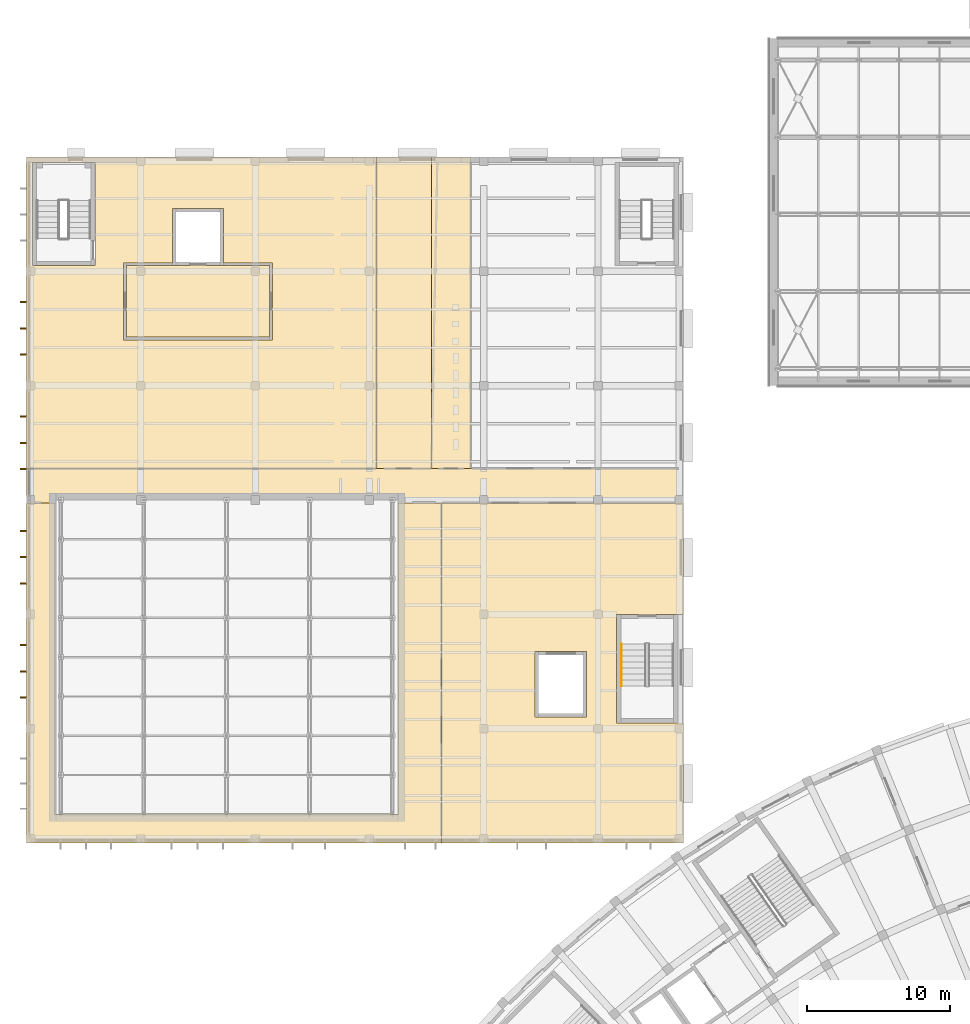
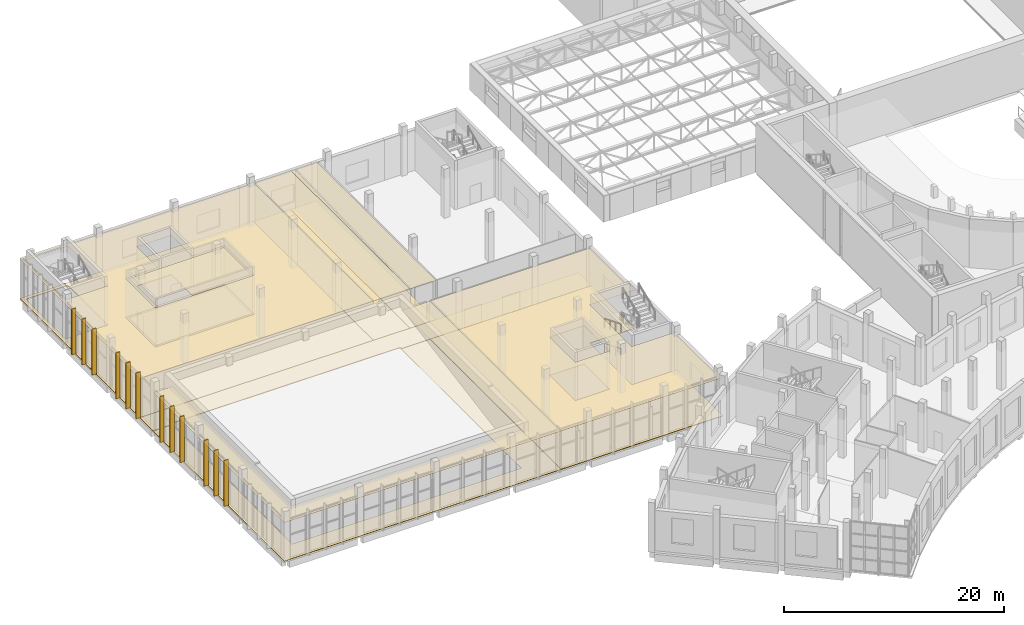
# One storey, part 111 of 132: 13 coverings, 12 shading devices, 2 railings.
"""IFC4 building model written with IfcOpenShell, lengths in metres."""

from ifc_helpers import new_model, si_unit, direction, frame, origin, origin_2d, place, context, subcontext, project, spatial, polyline, rectangle, circle, outline, extrude, material, layer, layer_set, type_object, element, save


model = new_model("IFC4")

# Units and contexts
model_context = context("Model", 3, precision=1e-05, world=origin(), true_north=direction((0.0, 1.0)))
body_context = subcontext(model_context, "Body", "Model", "MODEL_VIEW")
ifc_project = project(units=[si_unit("LENGTHUNIT", "METRE"), si_unit("AREAUNIT", "SQUARE_METRE"), si_unit("VOLUMEUNIT", "CUBIC_METRE"), si_unit("PLANEANGLEUNIT", "RADIAN"), si_unit("MASSUNIT", "GRAM", prefix="KILO")], contexts=[model_context])

# Site, building, storey
site_placement = place(None, origin())
site = spatial("IfcSite", under=ifc_project, at=site_placement, CompositionType="ELEMENT")
building_placement = place(site_placement, origin())
building = spatial("IfcBuilding", under=site, at=building_placement, Name="Lunette Opera House", CompositionType="ELEMENT")
storey_placement = place(building_placement, frame((0.0, 0.0, 17.0)))
storey = spatial("IfcBuildingStorey", under=building, at=storey_placement, Name="L03", CompositionType="ELEMENT", Elevation=17.0)

# Covering
ifc_material_1 = material(Name="Cement screed")
ifc_layer_1 = layer(ifc_material_1, 0.070068359375)
ifc_layer_set_1 = layer_set([ifc_layer_1], Name="Cement screed")
covering_type_1 = type_object("IfcCoveringType", Name="SCREED FLOOR FINISH 70", PredefinedType="FLOORING", material=ifc_layer_set_1)
covering_1_placement = place(storey_placement, origin())
element("IfcCovering", 1, at=covering_1_placement, inside=storey, type_object=covering_type_1, Name="Floor finish Corridor L03 Rehearsal", PredefinedType="FLOORING", context=body_context, shape_type="SweptSolid", body=[
    extrude(outline(polyline([(54.0, 87.800048828125), (37.04296875, 87.800048828125), (34.0, 87.800048828125), (34.0, 88.0), (10.0, 88.0), (10.0, 87.800048828125), (8.0, 87.800048828125), (8.0, 90.199951171875), (39.087890625, 90.199951171875), (54.0, 90.199951171875), (54.0, 87.800048828125)])), origin(), (0.0, 0.0, 1.0), 0.070068359375),
])

# Shading devices
ifc_material_2 = material(Name="Powder-coated aluminium", Category="aluminium")
shading_device_type = type_object("IfcShadingDeviceType", Name="SOLAR FIN 100 X 450", PredefinedType="USERDEFINED", material=ifc_material_2)
for number, where, z_axis, x_axis, name in (
    (2, (7.76708984375, 101.85498046875, 0.114501953125), (0.0, 0.0, 1.0), (-1.0, 0.0, 0.0), "Solar fin RW-X2044 1"),
    (3, (7.76708984375, 100.012939453125, 0.114501953125), (0.0, 0.0, 1.0), (-1.0, 0.0, 0.0), "Solar fin RW-X2044 2"),
    (4, (7.76708984375, 98.1708984375, 0.114501953125), (0.0, 0.0, 1.0), (-1.0, 0.0, 0.0), "Solar fin RW-X2044 3"),
    (5, (7.76708984375, 93.8349609375, 0.114501953125), (0.0, 0.0, 1.0), (-1.0, 0.0, 0.0), "Solar fin RW-X2045 1"),
    (6, (7.76708984375, 92.0, 0.114501953125), (0.0, 0.0, 1.0), (-1.0, 0.0, 0.0), "Solar fin RW-X2045 2"),
    (7, (7.76708984375, 90.1650390625, 0.114501953125), (0.0, 0.0, 1.0), (-1.0, 0.0, 0.0), "Solar fin RW-X2045 3"),
    (8, (7.76708984375, 85.8349609375, 0.114501953125), (0.0, 0.0, 1.0), (-1.0, 0.0, 0.0), "Solar fin RW-X2046 1"),
    (9, (7.76708984375, 84.0, 0.114501953125), (0.0, 0.0, 1.0), (-1.0, 0.0, 0.0), "Solar fin RW-X2046 2"),
    (10, (7.76708984375, 82.1650390625, 0.114501953125), (0.0, 0.0, 1.0), (-1.0, 0.0, 0.0), "Solar fin RW-X2046 3"),
    (11, (7.76708984375, 77.8349609375, 0.114501953125), (0.0, 0.0, 1.0), (-1.0, 0.0, 0.0), "Solar fin RW-X2047 1"),
    (12, (7.76708984375, 76.0, 0.114501953125), (0.0, 0.0, 1.0), (-1.0, 0.0, 0.0), "Solar fin RW-X2047 2"),
    (13, (7.76708984375, 74.1650390625, 0.114501953125), (0.0, 0.0, 1.0), (-1.0, 0.0, 0.0), "Solar fin RW-X2047 3"),
):
    element("IfcShadingDevice", number, at=place(storey_placement, frame(where, z_axis=z_axis, x_axis=x_axis)), inside=storey, type_object=shading_device_type, Name=name, ObjectType="SOLAR FIN", PredefinedType="USERDEFINED", context=body_context, shape_type="SweptSolid", body=[
        extrude(rectangle(XDim=0.449951171875, YDim=0.10009765625, at=origin_2d()), origin(), (0.0, 0.0, 1.0), 5.0849609375),
    ])

# Railings
ifc_material_3 = material(Name="Steel S355", Category="steel")
railing_type = type_object("IfcRailingType", Name="STAIR HANDRAIL 1000", PredefinedType="HANDRAIL", material=ifc_material_3)
for number, where, name in (
    (14, (49.64990234375, 77.929931640625, 0.171875), "L03 ST16 stair handrail 1"),
    (15, (49.64990234375, 77.929931640625, 2.921875), "L03 ST16 stair handrail 3"),
):
    element("IfcRailing", number, at=place(storey_placement, frame(where)), inside=storey, type_object=railing_type, Name=name, PredefinedType="HANDRAIL", context=body_context, shape_type="SweptSolid", body=[
        extrude(circle(Radius=0.02392578125, at=origin_2d()), frame((0.0, 0.0, 0.97607421875), z_axis=(0.0, -0.925500427511, 0.378746562595), x_axis=(1.0, 0.0, 0.0)), (0.0, 0.0, 1.0), 3.176513671875),
        extrude(circle(Radius=0.02099609375, at=origin_2d()), origin(), (0.0, 0.0, 1.0), 0.951904296875),
        extrude(circle(Radius=0.02099609375, at=origin_2d()), frame((0.0, -0.97998046875, 0.401123046875)), (0.0, 0.0, 1.0), 0.951904296875),
        extrude(circle(Radius=0.02099609375, at=origin_2d()), frame((0.0, -1.9599609375, 0.802001953125)), (0.0, 0.0, 1.0), 0.951904296875),
        extrude(circle(Radius=0.02099609375, at=origin_2d()), frame((0.0, -2.93994140625, 1.203125)), (0.0, 0.0, 1.0), 0.951904296875),
    ])

# Coverings
ifc_material_4 = material(Name="Mineral fibre board")
ifc_layer_2 = layer(ifc_material_4, 0.014892578125)
ifc_layer_set_2 = layer_set([ifc_layer_2], Name="Mineral fibre board")
covering_type_2 = type_object("IfcCoveringType", Name="SUSPENDED ACOUSTIC CEILING 15", PredefinedType="CEILING", material=ifc_layer_set_2)
covering_2_placement = place(storey_placement, frame((0.0, 0.0, 4.385009765625)))
element("IfcCovering", 16, at=covering_2_placement, inside=storey, type_object=covering_type_2, Name="Ceiling Lift Lobby L03 Rehearsal", PredefinedType="CEILING", context=body_context, shape_type="SweptSolid", body=[
    extrude(outline(polyline([(25.0, 99.39990234375), (25.0, 104.39990234375), (15.0, 104.39990234375), (15.0, 99.39990234375), (25.0, 99.39990234375)])), origin(), (0.0, 0.0, 1.0), 0.014892578125),
])
covering_3_placement = place(storey_placement, frame((0.0, 0.0, 4.385009765625)))
element("IfcCovering", 17, at=covering_3_placement, inside=storey, type_object=covering_type_2, Name="Ceiling Choir Practice Hall", PredefinedType="CEILING", context=body_context, shape_type="SweptSolid", body=[
    extrude(outline(polyline([(8.0, 112.0), (32.48095703125, 112.0), (32.48095703125, 90.199951171875), (8.0, 90.199951171875), (8.0, 112.0)]), holes=[polyline([(14.800048828125, 104.60009765625), (14.800048828125, 99.199951171875), (25.199951171875, 99.199951171875), (25.199951171875, 104.60009765625), (21.800048828125, 104.60009765625), (21.800048828125, 108.39990234375), (18.199951171875, 108.39990234375), (18.199951171875, 104.60009765625), (14.800048828125, 104.60009765625)]), polyline([(8.39990234375, 111.635009765625), (8.39990234375, 104.39990234375), (12.800048828125, 104.39990234375), (12.800048828125, 111.635009765625), (8.39990234375, 111.635009765625)])]), origin(), (0.0, 0.0, 1.0), 0.014892578125),
])
covering_4_placement = place(storey_placement, frame((0.0, 0.0, 4.385009765625)))
element("IfcCovering", 18, at=covering_4_placement, inside=storey, type_object=covering_type_2, Name="Ceiling Rehearsal Wing Staff Kitchen", PredefinedType="CEILING", context=body_context, shape_type="SweptSolid", body=[
    extrude(outline(polyline([(32.48095703125, 90.199951171875), (32.48095703125, 112.0), (36.3349609375, 112.0), (36.3349609375, 90.199951171875), (32.48095703125, 90.199951171875)])), origin(), (0.0, 0.0, 1.0), 0.014892578125),
])
covering_5_placement = place(storey_placement, frame((0.0, 0.0, 4.385009765625)))
element("IfcCovering", 19, at=covering_5_placement, inside=storey, type_object=covering_type_2, Name="Ceiling Rehearsal Wing WC L03", PredefinedType="CEILING", context=body_context, shape_type="SweptSolid", body=[
    extrude(outline(polyline([(36.3349609375, 90.199951171875), (36.3349609375, 112.0), (39.087890625, 112.0), (39.087890625, 90.199951171875), (36.3349609375, 90.199951171875)])), origin(), (0.0, 0.0, 1.0), 0.014892578125),
])
covering_6_placement = place(storey_placement, frame((0.0, 0.0, 4.284912109375)))
element("IfcCovering", 20, at=covering_6_placement, inside=storey, type_object=covering_type_2, Name="Ceiling Orchestra Library", PredefinedType="CEILING", context=body_context, shape_type="SweptSolid", body=[
    extrude(outline(polyline([(8.0, 87.800048828125), (10.0, 87.800048828125), (10.0, 66.0), (34.0, 66.0), (34.0, 87.800048828125), (37.04296875, 87.800048828125), (37.04296875, 64.0), (8.0, 64.0), (8.0, 87.800048828125)])), origin(), (0.0, 0.0, 1.0), 0.01513671875),
])
covering_7_placement = place(storey_placement, frame((0.0, 0.0, 4.284912109375)))
element("IfcCovering", 21, at=covering_7_placement, inside=storey, type_object=covering_type_2, Name="Ceiling Dancers' Warm-up Hall", PredefinedType="CEILING", context=body_context, shape_type="SweptSolid", body=[
    extrude(outline(polyline([(54.0, 80.0009765625), (53.597900390625, 80.0009765625), (53.597900390625, 80.0), (49.300048828125, 80.0), (49.300048828125, 72.39990234375), (53.597900390625, 72.39990234375), (53.597900390625, 72.39892578125), (54.0, 72.39892578125), (54.0, 64.0), (37.04296875, 64.0), (37.04296875, 87.800048828125), (54.0, 87.800048828125), (54.0, 80.0009765625)]), holes=[polyline([(43.60009765625, 77.39990234375), (43.60009765625, 72.800048828125), (47.199951171875, 72.800048828125), (47.199951171875, 77.39990234375), (43.60009765625, 77.39990234375)])]), origin(), (0.0, 0.0, 1.0), 0.01513671875),
])
ifc_material_5 = material(Name="Terrazzo")
ifc_layer_3 = layer(ifc_material_5, 0.06005859375)
ifc_layer_set_3 = layer_set([ifc_layer_3], Name="Terrazzo")
covering_type_3 = type_object("IfcCoveringType", Name="TERRAZZO FLOOR FINISH 60", PredefinedType="FLOORING", material=ifc_layer_set_3)
covering_8_placement = place(storey_placement, origin())
element("IfcCovering", 22, at=covering_8_placement, inside=storey, type_object=covering_type_3, Name="Floor finish Lift Lobby L03 Rehearsal", PredefinedType="FLOORING", context=body_context, shape_type="SweptSolid", body=[
    extrude(outline(polyline([(25.0, 99.39990234375), (25.0, 104.39990234375), (15.0, 104.39990234375), (15.0, 99.39990234375), (25.0, 99.39990234375)])), origin(), (0.0, 0.0, 1.0), 0.06005859375),
])
covering_9_placement = place(storey_placement, origin())
element("IfcCovering", 23, at=covering_9_placement, inside=storey, type_object=covering_type_3, Name="Floor finish Choir Practice Hall", PredefinedType="FLOORING", context=body_context, shape_type="SweptSolid", body=[
    extrude(outline(polyline([(8.0, 112.0), (32.48095703125, 112.0), (32.48095703125, 90.199951171875), (8.0, 90.199951171875), (8.0, 112.0)]), holes=[polyline([(14.800048828125, 104.60009765625), (14.800048828125, 99.199951171875), (25.199951171875, 99.199951171875), (25.199951171875, 104.60009765625), (21.800048828125, 104.60009765625), (21.800048828125, 108.39990234375), (18.199951171875, 108.39990234375), (18.199951171875, 104.60009765625), (14.800048828125, 104.60009765625)]), polyline([(8.39990234375, 111.635009765625), (8.39990234375, 104.39990234375), (12.800048828125, 104.39990234375), (12.800048828125, 111.635009765625), (8.39990234375, 111.635009765625)])]), origin(), (0.0, 0.0, 1.0), 0.06005859375),
])
covering_10_placement = place(storey_placement, origin())
element("IfcCovering", 24, at=covering_10_placement, inside=storey, type_object=covering_type_3, Name="Floor finish Dancers' Warm-up Hall", PredefinedType="FLOORING", context=body_context, shape_type="SweptSolid", body=[
    extrude(outline(polyline([(54.0, 80.0009765625), (53.597900390625, 80.0009765625), (53.597900390625, 80.0), (49.300048828125, 80.0), (49.300048828125, 72.39990234375), (53.597900390625, 72.39990234375), (53.597900390625, 72.39892578125), (54.0, 72.39892578125), (54.0, 64.0), (37.04296875, 64.0), (37.04296875, 87.800048828125), (54.0, 87.800048828125), (54.0, 80.0009765625)]), holes=[polyline([(43.60009765625, 77.39990234375), (43.60009765625, 72.800048828125), (47.199951171875, 72.800048828125), (47.199951171875, 77.39990234375), (43.60009765625, 77.39990234375)])]), origin(), (0.0, 0.0, 1.0), 0.06005859375),
])
ifc_material_6 = material(Name="Ceramic tile")
ifc_layer_4 = layer(ifc_material_6, 0.02490234375)
ifc_layer_set_4 = layer_set([ifc_layer_4], Name="Ceramic tile")
covering_type_4 = type_object("IfcCoveringType", Name="TILED FLOOR FINISH 25", PredefinedType="FLOORING", material=ifc_layer_set_4)
covering_11_placement = place(storey_placement, origin())
element("IfcCovering", 25, at=covering_11_placement, inside=storey, type_object=covering_type_4, Name="Floor finish Rehearsal Wing WC L03", PredefinedType="FLOORING", context=body_context, shape_type="SweptSolid", body=[
    extrude(outline(polyline([(36.3349609375, 90.199951171875), (36.3349609375, 112.0), (39.087890625, 112.0), (39.087890625, 90.199951171875), (36.3349609375, 90.199951171875)])), origin(), (0.0, 0.0, 1.0), 0.02490234375),
])
ifc_material_7 = material(Name="Timber", Category="wood")
ifc_layer_5 = layer(ifc_material_7, 0.0400390625)
ifc_layer_set_5 = layer_set([ifc_layer_5], Name="Timber")
covering_type_5 = type_object("IfcCoveringType", Name="TIMBER FLOOR FINISH 40", PredefinedType="FLOORING", material=ifc_layer_set_5)
covering_12_placement = place(storey_placement, origin())
element("IfcCovering", 26, at=covering_12_placement, inside=storey, type_object=covering_type_5, Name="Floor finish Rehearsal Wing Staff Kitchen", PredefinedType="FLOORING", context=body_context, shape_type="SweptSolid", body=[
    extrude(outline(polyline([(32.48095703125, 90.199951171875), (32.48095703125, 112.0), (36.3349609375, 112.0), (36.3349609375, 90.199951171875), (32.48095703125, 90.199951171875)])), origin(), (0.0, 0.0, 1.0), 0.0400390625),
])
covering_13_placement = place(storey_placement, origin())
element("IfcCovering", 27, at=covering_13_placement, inside=storey, type_object=covering_type_5, Name="Floor finish Orchestra Library", PredefinedType="FLOORING", context=body_context, shape_type="SweptSolid", body=[
    extrude(outline(polyline([(8.0, 87.800048828125), (10.0, 87.800048828125), (10.0, 66.0), (34.0, 66.0), (34.0, 87.800048828125), (37.04296875, 87.800048828125), (37.04296875, 64.0), (8.0, 64.0), (8.0, 87.800048828125)])), origin(), (0.0, 0.0, 1.0), 0.0400390625),
])

save(model, "model.ifc")
